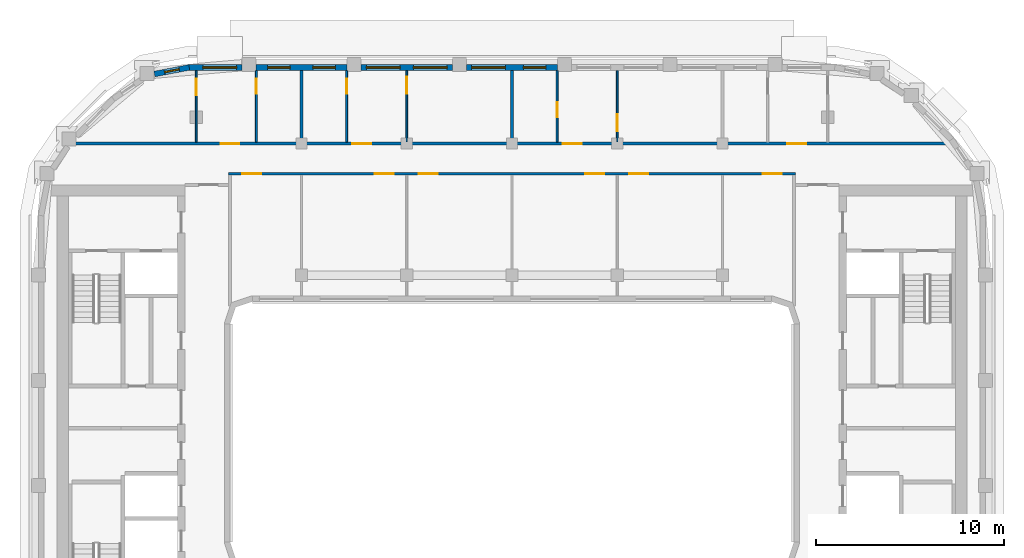
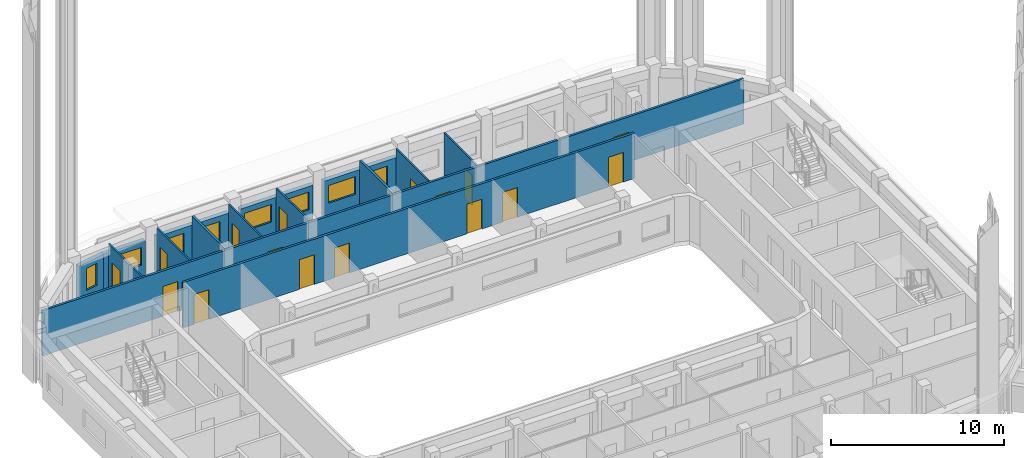
# One storey, part 7 of 15: 16 doors, 15 walls, 8 windows, 24 openings.
"""IFC4 building model written with IfcOpenShell, lengths in metres."""

from ifc_helpers import new_model, si_unit, direction, frame, frame_2d, origin, place, context, subcontext, project, spatial, rectangle, extrude, material, layer, layer_set, type_object, element, fill, save


model = new_model("IFC4")

# Units and contexts
model_context = context("Model", 3, precision=1e-05, world=origin(), true_north=direction((0.0, 1.0)))
body_context = subcontext(model_context, "Body", "Model", "MODEL_VIEW")
ifc_project = project(units=[si_unit("LENGTHUNIT", "METRE"), si_unit("AREAUNIT", "SQUARE_METRE"), si_unit("VOLUMEUNIT", "CUBIC_METRE"), si_unit("PLANEANGLEUNIT", "RADIAN"), si_unit("MASSUNIT", "GRAM", prefix="KILO")], contexts=[model_context])

# Site, building, storey
site_placement = place(None, origin())
site = spatial("IfcSite", under=ifc_project, at=site_placement, CompositionType="ELEMENT")
building_placement = place(site_placement, origin())
building = spatial("IfcBuilding", under=site, at=building_placement, Name="Kiln Ring Residences", CompositionType="ELEMENT")
storey_placement = place(building_placement, frame((0.0, 0.0, 266.199951171875)))
storey = spatial("IfcBuildingStorey", under=building, at=storey_placement, Name="L69", CompositionType="ELEMENT", Elevation=266.199951171875)

# Wall, openings, windows
ifc_material_1 = material(Name="Brick masonry, dark clay brick", Category="masonry")
ifc_layer_1 = layer(ifc_material_1, 0.300048828125)
ifc_layer_set_1 = layer_set([ifc_layer_1], Name="EW-300 BRICK WALL")
wall_type_1 = type_object("IfcWallType", Name="EW-300 BRICK WALL", PredefinedType="SOLIDWALL", material=ifc_layer_set_1)
wall_1_placement = place(storey_placement, frame((2.425048828125, 19.449951171875, 0.0), z_axis=(0.0, 0.0, 1.0), x_axis=(-1.0, 0.0, 0.0)))
wall_1 = element("IfcWall", 1, at=wall_1_placement, inside=storey, type_object=wall_type_1, Name="Facade wall L69 29", PredefinedType="SOLIDWALL", context=body_context, shape_type="SweptSolid", body=[
    extrude(rectangle(XDim=4.85009765625, YDim=0.300048828125, at=frame_2d((2.425048828125, 0.0))), origin(), (0.0, 0.0, 1.0), 2.550048828125),
])
opening_1_placement = place(wall_1_placement, frame((0.625, 0.0, 0.60009765625)))
opening_1 = element("IfcOpeningElement", 2, at=opening_1_placement, cuts=wall_1, Name="Opening W1", PredefinedType="OPENING", context=body_context, shape_type="SweptSolid", body=[
    extrude(rectangle(XDim=1.199951171875, YDim=1.550048828125, at=frame_2d((0.60009765625, 0.77490234375))), frame((0.0, 0.159912109375, 0.0), z_axis=(0.0, -1.0, 0.0), x_axis=(1.0, 0.0, 0.0)), (0.0, 0.0, 1.0), 0.320068359375),
])
opening_2_placement = place(wall_1_placement, frame((2.77490234375, 0.0, 0.89990234375)))
opening_2 = element("IfcOpeningElement", 3, at=opening_2_placement, cuts=wall_1, Name="Opening W2", PredefinedType="OPENING", context=body_context, shape_type="SweptSolid", body=[
    extrude(rectangle(XDim=1.800048828125, YDim=1.25, at=frame_2d((0.89990234375, 0.625))), frame((0.0, 0.159912109375, 0.0), z_axis=(0.0, -1.0, 0.0), x_axis=(1.0, 0.0, 0.0)), (0.0, 0.0, 1.0), 0.320068359375),
])
ifc_material_2 = material(Name="Aluminium frame with double glazing", Category="aluminium")
window_type_1 = type_object("IfcWindowType", Name="WINDOW 1200 x 1550", PartitioningType="SINGLE_PANEL", PredefinedType="WINDOW", material=ifc_material_2)
window_1_placement = place(opening_1_placement, origin())
window_1 = element("IfcWindow", 4, at=window_1_placement, inside=storey, type_object=window_type_1, Name="Window L69 26", OverallHeight=1.550048828125, OverallWidth=1.199951171875, PartitioningType="SINGLE_PANEL", PredefinedType="WINDOW", context=body_context, shape_type="SweptSolid", body=[
    extrude(rectangle(XDim=1.199951171875, YDim=1.550048828125, at=frame_2d((0.60009765625, 0.77490234375))), frame((0.0, 0.030029296875, 0.0), z_axis=(0.0, -1.0, 0.0), x_axis=(1.0, 0.0, 0.0)), (0.0, 0.0, 1.0), 0.06005859375),
])
fill(opening_1, window_1)
ifc_material_3 = material(Name="Aluminium frame with double glazing", Category="aluminium")
window_type_2 = type_object("IfcWindowType", Name="WINDOW 1800 x 1250", PartitioningType="SINGLE_PANEL", PredefinedType="WINDOW", material=ifc_material_3)
window_2_placement = place(opening_2_placement, origin())
window_2 = element("IfcWindow", 5, at=window_2_placement, inside=storey, type_object=window_type_2, Name="Window L69 27", OverallHeight=1.25, OverallWidth=1.800048828125, PartitioningType="SINGLE_PANEL", PredefinedType="WINDOW", context=body_context, shape_type="SweptSolid", body=[
    extrude(rectangle(XDim=1.800048828125, YDim=1.25, at=frame_2d((0.89990234375, 0.625))), frame((0.0, 0.030029296875, 0.0), z_axis=(0.0, -1.0, 0.0), x_axis=(1.0, 0.0, 0.0)), (0.0, 0.0, 1.0), 0.06005859375),
])
fill(opening_2, window_2)

wall_2_placement = place(storey_placement, frame((-3.175048828125, 19.449951171875, 0.0), z_axis=(0.0, 0.0, 1.0), x_axis=(-1.0, 0.0, 0.0)))
wall_2 = element("IfcWall", 6, at=wall_2_placement, inside=storey, type_object=wall_type_1, Name="Facade wall L69 30", PredefinedType="SOLIDWALL", context=body_context, shape_type="SweptSolid", body=[
    extrude(rectangle(XDim=4.849853515625, YDim=0.300048828125, at=frame_2d((2.4248046875, 0.0))), origin(), (0.0, 0.0, 1.0), 2.550048828125),
])
opening_3_placement = place(wall_2_placement, frame((0.27490234375, 0.0, 0.89990234375)))
opening_3 = element("IfcOpeningElement", 7, at=opening_3_placement, cuts=wall_2, Name="Opening W2", PredefinedType="OPENING", context=body_context, shape_type="SweptSolid", body=[
    extrude(rectangle(XDim=1.800048828125, YDim=1.25, at=frame_2d((0.89990234375, 0.625))), frame((0.0, 0.159912109375, 0.0), z_axis=(0.0, -1.0, 0.0), x_axis=(1.0, 0.0, 0.0)), (0.0, 0.0, 1.0), 0.320068359375),
])
opening_4_placement = place(wall_2_placement, frame((2.77490234375, 0.0, 0.89990234375)))
opening_4 = element("IfcOpeningElement", 8, at=opening_4_placement, cuts=wall_2, Name="Opening W2", PredefinedType="OPENING", context=body_context, shape_type="SweptSolid", body=[
    extrude(rectangle(XDim=1.800048828125, YDim=1.25, at=frame_2d((0.89990234375, 0.625))), frame((0.0, 0.159912109375, 0.0), z_axis=(0.0, -1.0, 0.0), x_axis=(1.0, 0.0, 0.0)), (0.0, 0.0, 1.0), 0.320068359375),
])
window_3_placement = place(opening_3_placement, origin())
window_3 = element("IfcWindow", 9, at=window_3_placement, inside=storey, type_object=window_type_2, Name="Window L69 28", OverallHeight=1.25, OverallWidth=1.800048828125, PartitioningType="SINGLE_PANEL", PredefinedType="WINDOW", context=body_context, shape_type="SweptSolid", body=[
    extrude(rectangle(XDim=1.800048828125, YDim=1.25, at=frame_2d((0.89990234375, 0.625))), frame((0.0, 0.030029296875, 0.0), z_axis=(0.0, -1.0, 0.0), x_axis=(1.0, 0.0, 0.0)), (0.0, 0.0, 1.0), 0.06005859375),
])
fill(opening_3, window_3)
window_4_placement = place(opening_4_placement, origin())
window_4 = element("IfcWindow", 10, at=window_4_placement, inside=storey, type_object=window_type_2, Name="Window L69 29", OverallHeight=1.25, OverallWidth=1.800048828125, PartitioningType="SINGLE_PANEL", PredefinedType="WINDOW", context=body_context, shape_type="SweptSolid", body=[
    extrude(rectangle(XDim=1.800048828125, YDim=1.25, at=frame_2d((0.89990234375, 0.625))), frame((0.0, 0.030029296875, 0.0), z_axis=(0.0, -1.0, 0.0), x_axis=(1.0, 0.0, 0.0)), (0.0, 0.0, 1.0), 0.06005859375),
])
fill(opening_4, window_4)

wall_3_placement = place(storey_placement, frame((-8.77490234375, 19.449951171875, 0.0), z_axis=(0.0, 0.0, 1.0), x_axis=(-1.0, 0.0, 0.0)))
wall_3 = element("IfcWall", 11, at=wall_3_placement, inside=storey, type_object=wall_type_1, Name="Facade wall L69 31", PredefinedType="SOLIDWALL", context=body_context, shape_type="SweptSolid", body=[
    extrude(rectangle(XDim=4.85009765625, YDim=0.300048828125, at=frame_2d((2.425048828125, 0.0))), origin(), (0.0, 0.0, 1.0), 2.550048828125),
])
opening_5_placement = place(wall_3_placement, frame((0.625, 0.0, 0.60009765625)))
opening_5 = element("IfcOpeningElement", 12, at=opening_5_placement, cuts=wall_3, Name="Opening W1", PredefinedType="OPENING", context=body_context, shape_type="SweptSolid", body=[
    extrude(rectangle(XDim=1.199951171875, YDim=1.550048828125, at=frame_2d((0.60009765625, 0.77490234375))), frame((0.0, 0.159912109375, 0.0), z_axis=(0.0, -1.0, 0.0), x_axis=(1.0, 0.0, 0.0)), (0.0, 0.0, 1.0), 0.320068359375),
])
opening_6_placement = place(wall_3_placement, frame((3.02490234375, 0.0, 0.60009765625)))
opening_6 = element("IfcOpeningElement", 13, at=opening_6_placement, cuts=wall_3, Name="Opening W1", PredefinedType="OPENING", context=body_context, shape_type="SweptSolid", body=[
    extrude(rectangle(XDim=1.199951171875, YDim=1.550048828125, at=frame_2d((0.60009765625, 0.77490234375))), frame((0.0, 0.159912109375, 0.0), z_axis=(0.0, -1.0, 0.0), x_axis=(1.0, 0.0, 0.0)), (0.0, 0.0, 1.0), 0.320068359375),
])
window_5_placement = place(opening_5_placement, origin())
window_5 = element("IfcWindow", 14, at=window_5_placement, inside=storey, type_object=window_type_1, Name="Window L69 30", OverallHeight=1.550048828125, OverallWidth=1.199951171875, PartitioningType="SINGLE_PANEL", PredefinedType="WINDOW", context=body_context, shape_type="SweptSolid", body=[
    extrude(rectangle(XDim=1.199951171875, YDim=1.550048828125, at=frame_2d((0.60009765625, 0.77490234375))), frame((0.0, 0.030029296875, 0.0), z_axis=(0.0, -1.0, 0.0), x_axis=(1.0, 0.0, 0.0)), (0.0, 0.0, 1.0), 0.06005859375),
])
fill(opening_5, window_5)
window_6_placement = place(opening_6_placement, origin())
window_6 = element("IfcWindow", 15, at=window_6_placement, inside=storey, type_object=window_type_1, Name="Window L69 31", OverallHeight=1.550048828125, OverallWidth=1.199951171875, PartitioningType="SINGLE_PANEL", PredefinedType="WINDOW", context=body_context, shape_type="SweptSolid", body=[
    extrude(rectangle(XDim=1.199951171875, YDim=1.550048828125, at=frame_2d((0.60009765625, 0.77490234375))), frame((0.0, 0.030029296875, 0.0), z_axis=(0.0, -1.0, 0.0), x_axis=(1.0, 0.0, 0.0)), (0.0, 0.0, 1.0), 0.06005859375),
])
fill(opening_6, window_6)

# Wall, opening, window
wall_4_placement = place(storey_placement, frame((-14.375, 19.449951171875, 0.0), z_axis=(0.0, 0.0, 1.0), x_axis=(-1.0, 0.0, 0.0)))
wall_4 = element("IfcWall", 16, at=wall_4_placement, inside=storey, type_object=wall_type_1, Name="Facade wall L69 32", PredefinedType="SOLIDWALL", context=body_context, shape_type="SweptSolid", body=[
    extrude(rectangle(XDim=2.824951171875, YDim=0.300048828125, at=frame_2d((1.41259765625, 0.0))), origin(), (0.0, 0.0, 1.0), 2.550048828125),
])
opening_7_placement = place(wall_4_placement, frame((0.27490234375, 0.0, 0.89990234375)))
opening_7 = element("IfcOpeningElement", 17, at=opening_7_placement, cuts=wall_4, Name="Opening W2", PredefinedType="OPENING", context=body_context, shape_type="SweptSolid", body=[
    extrude(rectangle(XDim=1.800048828125, YDim=1.25, at=frame_2d((0.89990234375, 0.625))), frame((0.0, 0.159912109375, 0.0), z_axis=(0.0, -1.0, 0.0), x_axis=(1.0, 0.0, 0.0)), (0.0, 0.0, 1.0), 0.320068359375),
])
window_7_placement = place(opening_7_placement, origin())
window_7 = element("IfcWindow", 18, at=window_7_placement, inside=storey, type_object=window_type_2, Name="Window L69 32", OverallHeight=1.25, OverallWidth=1.800048828125, PartitioningType="SINGLE_PANEL", PredefinedType="WINDOW", context=body_context, shape_type="SweptSolid", body=[
    extrude(rectangle(XDim=1.800048828125, YDim=1.25, at=frame_2d((0.89990234375, 0.625))), frame((0.0, 0.030029296875, 0.0), z_axis=(0.0, -1.0, 0.0), x_axis=(1.0, 0.0, 0.0)), (0.0, 0.0, 1.0), 0.06005859375),
])
fill(opening_7, window_7)

wall_5_placement = place(storey_placement, frame((-17.171875, 19.45263671875, 0.0), z_axis=(0.0, 0.0, 1.0), x_axis=(-0.982284001233, -0.187398348234, 0.0)))
wall_5 = element("IfcWall", 19, at=wall_5_placement, inside=storey, type_object=wall_type_1, Name="Facade wall L69 33", PredefinedType="SOLIDWALL", context=body_context, shape_type="SweptSolid", body=[
    extrude(rectangle(XDim=1.88134765625, YDim=0.300048828125, at=frame_2d((0.940673828125, 0.0))), origin(), (0.0, 0.0, 1.0), 2.550048828125),
])
opening_8_placement = place(wall_5_placement, frame((0.54052734375, 0.0, 0.60009765625)))
opening_8 = element("IfcOpeningElement", 20, at=opening_8_placement, cuts=wall_5, Name="Opening W5", PredefinedType="OPENING", context=body_context, shape_type="SweptSolid", body=[
    extrude(rectangle(XDim=0.800048828125, YDim=1.550048828125, at=frame_2d((0.39990234375, 0.77490234375))), frame((0.0, 0.159912109375, 0.0), z_axis=(0.0, -1.0, 0.0), x_axis=(1.0, 0.0, 0.0)), (0.0, 0.0, 1.0), 0.320068359375),
])
ifc_material_4 = material(Name="Aluminium frame with double glazing", Category="aluminium")
window_type_3 = type_object("IfcWindowType", Name="WINDOW 800 x 1550", PartitioningType="SINGLE_PANEL", PredefinedType="WINDOW", material=ifc_material_4)
window_8_placement = place(opening_8_placement, origin())
window_8 = element("IfcWindow", 21, at=window_8_placement, inside=storey, type_object=window_type_3, Name="Window L69 33", OverallHeight=1.550048828125, OverallWidth=0.800048828125, PartitioningType="SINGLE_PANEL", PredefinedType="WINDOW", context=body_context, shape_type="SweptSolid", body=[
    extrude(rectangle(XDim=0.800048828125, YDim=1.550048828125, at=frame_2d((0.39990234375, 0.77490234375))), frame((0.0, 0.030029296875, 0.0), z_axis=(0.0, -1.0, 0.0), x_axis=(1.0, 0.0, 0.0)), (0.0, 0.0, 1.0), 0.06005859375),
])
fill(opening_8, window_8)

# Wall, opening, door
ifc_material_5 = material(Name="Gypsum board on steel studs", Category="steel")
ifc_layer_2 = layer(ifc_material_5, 0.10009765625)
ifc_layer_set_2 = layer_set([ifc_layer_2], Name="PARTITION-100")
wall_type_2 = type_object("IfcWallType", Name="PARTITION-100", PredefinedType="PARTITIONING", material=ifc_layer_set_2)
wall_6_placement = place(storey_placement, frame((-16.800048828125, 15.47509765625, 0.0), z_axis=(0.0, 0.0, 1.0), x_axis=(0.0, 1.0, 0.0)))
wall_6 = element("IfcWall", 22, at=wall_6_placement, inside=storey, type_object=wall_type_2, Name="Partition 010", PredefinedType="PARTITIONING", context=body_context, shape_type="SweptSolid", body=[
    extrude(rectangle(XDim=3.804931640625, YDim=0.10009765625, at=frame_2d((1.90234375, 0.0))), origin(), (0.0, 0.0, 1.0), 3.199951171875),
])
opening_9_placement = place(wall_6_placement, frame((2.485107421875, 0.0, 0.0)))
opening_9 = element("IfcOpeningElement", 23, at=opening_9_placement, cuts=wall_6, Name="Opening L69-D013", PredefinedType="OPENING", context=body_context, shape_type="SweptSolid", body=[
    extrude(rectangle(XDim=0.89990234375, YDim=2.10009765625, at=frame_2d((0.449951171875, 1.050048828125))), frame((0.0, 0.06005859375, 0.0), z_axis=(0.0, -1.0, 0.0), x_axis=(1.0, 0.0, 0.0)), (0.0, 0.0, 1.0), 0.1201171875),
])
ifc_material_6 = material(Name="Timber door leaf", Category="wood")
door_type_1 = type_object("IfcDoorType", Name="FLAT-DOOR-900-PL", OperationType="SINGLE_SWING_LEFT", PredefinedType="DOOR", material=ifc_material_6)
door_1_placement = place(opening_9_placement, origin())
door_1 = element("IfcDoor", 24, at=door_1_placement, inside=storey, type_object=door_type_1, Name="Door L69-D013", OperationType="SINGLE_SWING_LEFT", OverallHeight=2.10009765625, OverallWidth=0.89990234375, PredefinedType="DOOR", context=body_context, shape_type="SweptSolid", body=[
    extrude(rectangle(XDim=0.89990234375, YDim=2.10009765625, at=frame_2d((0.449951171875, 1.050048828125))), frame((0.0, 0.02490234375, 0.0), z_axis=(0.0, -1.0, 0.0), x_axis=(1.0, 0.0, 0.0)), (0.0, 0.0, 1.0), 0.050048828125),
])
fill(opening_9, door_1)

wall_7_placement = place(storey_placement, frame((-13.60009765625, 15.47509765625, 0.0), z_axis=(0.0, 0.0, 1.0), x_axis=(0.0, 1.0, 0.0)))
wall_7 = element("IfcWall", 25, at=wall_7_placement, inside=storey, type_object=wall_type_2, Name="Partition 013", PredefinedType="PARTITIONING", context=body_context, shape_type="SweptSolid", body=[
    extrude(rectangle(XDim=3.804931640625, YDim=0.10009765625, at=frame_2d((1.90234375, 0.0))), origin(), (0.0, 0.0, 1.0), 3.199951171875),
])
opening_10_placement = place(wall_7_placement, frame((2.575927734375, 0.0, 0.0)))
opening_10 = element("IfcOpeningElement", 26, at=opening_10_placement, cuts=wall_7, Name="Opening L69-D012", PredefinedType="OPENING", context=body_context, shape_type="SweptSolid", body=[
    extrude(rectangle(XDim=0.800048828125, YDim=2.10009765625, at=frame_2d((0.39990234375, 1.050048828125))), frame((0.0, 0.06005859375, 0.0), z_axis=(0.0, -1.0, 0.0), x_axis=(1.0, 0.0, 0.0)), (0.0, 0.0, 1.0), 0.1201171875),
])
ifc_material_7 = material(Name="Timber door leaf", Category="wood")
door_type_2 = type_object("IfcDoorType", Name="FLAT-DOOR-800-PL", OperationType="SINGLE_SWING_LEFT", PredefinedType="DOOR", material=ifc_material_7)
door_2_placement = place(opening_10_placement, origin())
door_2 = element("IfcDoor", 27, at=door_2_placement, inside=storey, type_object=door_type_2, Name="Door L69-D012", OperationType="SINGLE_SWING_RIGHT", OverallHeight=2.10009765625, OverallWidth=0.800048828125, PredefinedType="DOOR", context=body_context, shape_type="SweptSolid", body=[
    extrude(rectangle(XDim=0.800048828125, YDim=2.10009765625, at=frame_2d((0.39990234375, 1.050048828125))), frame((0.0, 0.02490234375, 0.0), z_axis=(0.0, -1.0, 0.0), x_axis=(1.0, 0.0, 0.0)), (0.0, 0.0, 1.0), 0.050048828125),
])
fill(opening_10, door_2)

wall_8_placement = place(storey_placement, frame((-8.800048828125, 15.47509765625, 0.0), z_axis=(0.0, 0.0, 1.0), x_axis=(0.0, 1.0, 0.0)))
wall_8 = element("IfcWall", 28, at=wall_8_placement, inside=storey, type_object=wall_type_2, Name="Partition 019", PredefinedType="PARTITIONING", context=body_context, shape_type="SweptSolid", body=[
    extrude(rectangle(XDim=3.804931640625, YDim=0.10009765625, at=frame_2d((1.90234375, 0.0))), origin(), (0.0, 0.0, 1.0), 3.199951171875),
])
opening_11_placement = place(wall_8_placement, frame((2.5849609375, 0.0, 0.0)))
opening_11 = element("IfcOpeningElement", 29, at=opening_11_placement, cuts=wall_8, Name="Opening L69-D015", PredefinedType="OPENING", context=body_context, shape_type="SweptSolid", body=[
    extrude(rectangle(XDim=0.800048828125, YDim=2.10009765625, at=frame_2d((0.39990234375, 1.050048828125))), frame((0.0, 0.06005859375, 0.0), z_axis=(0.0, -1.0, 0.0), x_axis=(1.0, 0.0, 0.0)), (0.0, 0.0, 1.0), 0.1201171875),
])
door_3_placement = place(opening_11_placement, origin())
door_3 = element("IfcDoor", 30, at=door_3_placement, inside=storey, type_object=door_type_2, Name="Door L69-D015", OperationType="SINGLE_SWING_LEFT", OverallHeight=2.10009765625, OverallWidth=0.800048828125, PredefinedType="DOOR", context=body_context, shape_type="SweptSolid", body=[
    extrude(rectangle(XDim=0.800048828125, YDim=2.10009765625, at=frame_2d((0.39990234375, 1.050048828125))), frame((0.0, 0.02490234375, 0.0), z_axis=(0.0, -1.0, 0.0), x_axis=(1.0, 0.0, 0.0)), (0.0, 0.0, 1.0), 0.050048828125),
])
fill(opening_11, door_3)

wall_9_placement = place(storey_placement, frame((-5.60009765625, 15.47509765625, 0.0), z_axis=(0.0, 0.0, 1.0), x_axis=(0.0, 1.0, 0.0)))
wall_9 = element("IfcWall", 31, at=wall_9_placement, inside=storey, type_object=wall_type_2, Name="Partition 022", PredefinedType="PARTITIONING", context=body_context, shape_type="SweptSolid", body=[
    extrude(rectangle(XDim=3.804931640625, YDim=0.10009765625, at=frame_2d((1.90234375, 0.0))), origin(), (0.0, 0.0, 1.0), 3.199951171875),
])
opening_12_placement = place(wall_9_placement, frame((2.575927734375, 0.0, 0.0)))
opening_12 = element("IfcOpeningElement", 32, at=opening_12_placement, cuts=wall_9, Name="Opening L69-D016", PredefinedType="OPENING", context=body_context, shape_type="SweptSolid", body=[
    extrude(rectangle(XDim=0.89990234375, YDim=2.10009765625, at=frame_2d((0.449951171875, 1.050048828125))), frame((0.0, 0.06005859375, 0.0), z_axis=(0.0, -1.0, 0.0), x_axis=(1.0, 0.0, 0.0)), (0.0, 0.0, 1.0), 0.1201171875),
])
door_4_placement = place(opening_12_placement, origin())
door_4 = element("IfcDoor", 33, at=door_4_placement, inside=storey, type_object=door_type_1, Name="Door L69-D016", OperationType="SINGLE_SWING_RIGHT", OverallHeight=2.10009765625, OverallWidth=0.89990234375, PredefinedType="DOOR", context=body_context, shape_type="SweptSolid", body=[
    extrude(rectangle(XDim=0.89990234375, YDim=2.10009765625, at=frame_2d((0.449951171875, 1.050048828125))), frame((0.0, 0.02490234375, 0.0), z_axis=(0.0, -1.0, 0.0), x_axis=(1.0, 0.0, 0.0)), (0.0, 0.0, 1.0), 0.050048828125),
])
fill(opening_12, door_4)

wall_10_placement = place(storey_placement, frame((2.39990234375, 15.47509765625, 0.0), z_axis=(0.0, 0.0, 1.0), x_axis=(0.0, 1.0, 0.0)))
wall_10 = element("IfcWall", 34, at=wall_10_placement, inside=storey, type_object=wall_type_2, Name="Partition 032", PredefinedType="PARTITIONING", context=body_context, shape_type="SweptSolid", body=[
    extrude(rectangle(XDim=3.804931640625, YDim=0.10009765625, at=frame_2d((1.90234375, 0.0))), origin(), (0.0, 0.0, 1.0), 3.199951171875),
])
opening_13_placement = place(wall_10_placement, frame((1.3349609375, 0.0, 0.0)))
opening_13 = element("IfcOpeningElement", 35, at=opening_13_placement, cuts=wall_10, Name="Opening L69-D018", PredefinedType="OPENING", context=body_context, shape_type="SweptSolid", body=[
    extrude(rectangle(XDim=0.800048828125, YDim=2.10009765625, at=frame_2d((0.39990234375, 1.050048828125))), frame((0.0, 0.06005859375, 0.0), z_axis=(0.0, -1.0, 0.0), x_axis=(1.0, 0.0, 0.0)), (0.0, 0.0, 1.0), 0.1201171875),
])
door_5_placement = place(opening_13_placement, origin())
door_5 = element("IfcDoor", 36, at=door_5_placement, inside=storey, type_object=door_type_2, Name="Door L69-D018", OperationType="SINGLE_SWING_RIGHT", OverallHeight=2.10009765625, OverallWidth=0.800048828125, PredefinedType="DOOR", context=body_context, shape_type="SweptSolid", body=[
    extrude(rectangle(XDim=0.800048828125, YDim=2.10009765625, at=frame_2d((0.39990234375, 1.050048828125))), frame((0.0, 0.02490234375, 0.0), z_axis=(0.0, -1.0, 0.0), x_axis=(1.0, 0.0, 0.0)), (0.0, 0.0, 1.0), 0.050048828125),
])
fill(opening_13, door_5)

wall_11_placement = place(storey_placement, frame((5.60009765625, 15.47509765625, 0.0), z_axis=(0.0, 0.0, 1.0), x_axis=(0.0, 1.0, 0.0)))
wall_11 = element("IfcWall", 37, at=wall_11_placement, inside=storey, type_object=wall_type_2, Name="Partition 038", PredefinedType="PARTITIONING", context=body_context, shape_type="SweptSolid", body=[
    extrude(rectangle(XDim=3.804931640625, YDim=0.10009765625, at=frame_2d((1.90234375, 0.0))), origin(), (0.0, 0.0, 1.0), 3.199951171875),
])
opening_14_placement = place(wall_11_placement, frame((0.575927734375, 0.0, 0.0)))
opening_14 = element("IfcOpeningElement", 38, at=opening_14_placement, cuts=wall_11, Name="Opening L69-D019", PredefinedType="OPENING", context=body_context, shape_type="SweptSolid", body=[
    extrude(rectangle(XDim=0.89990234375, YDim=2.10009765625, at=frame_2d((0.449951171875, 1.050048828125))), frame((0.0, 0.06005859375, 0.0), z_axis=(0.0, -1.0, 0.0), x_axis=(1.0, 0.0, 0.0)), (0.0, 0.0, 1.0), 0.1201171875),
])
door_6_placement = place(opening_14_placement, origin())
door_6 = element("IfcDoor", 39, at=door_6_placement, inside=storey, type_object=door_type_1, Name="Door L69-D019", OperationType="SINGLE_SWING_LEFT", OverallHeight=2.10009765625, OverallWidth=0.89990234375, PredefinedType="DOOR", context=body_context, shape_type="SweptSolid", body=[
    extrude(rectangle(XDim=0.89990234375, YDim=2.10009765625, at=frame_2d((0.449951171875, 1.050048828125))), frame((0.0, 0.02490234375, 0.0), z_axis=(0.0, -1.0, 0.0), x_axis=(1.0, 0.0, 0.0)), (0.0, 0.0, 1.0), 0.050048828125),
])
fill(opening_14, door_6)

# Wall, openings, doors
ifc_material_8 = material(Name="Brick masonry partition", Category="masonry")
ifc_layer_3 = layer(ifc_material_8, 0.14990234375)
ifc_layer_set_3 = layer_set([ifc_layer_3], Name="PARTITION-150-ei60")
wall_type_3 = type_object("IfcWallType", Name="PARTITION-150-ei60", PredefinedType="PARTITIONING", material=ifc_layer_set_3)
wall_12_placement = place(storey_placement, frame((-15.074951171875, 13.800048828125, 0.0), z_axis=(0.0, 0.0, 1.0), x_axis=(1.0, 0.0, 0.0)))
wall_12 = element("IfcWall", 40, at=wall_12_placement, inside=storey, type_object=wall_type_3, Name="Partition 007", PredefinedType="PARTITIONING", context=body_context, shape_type="SweptSolid", body=[
    extrude(rectangle(XDim=30.14990234375, YDim=0.14990234375, at=frame_2d((15.074951171875, 0.0))), origin(), (0.0, 0.0, 1.0), 3.199951171875),
])
opening_15_placement = place(wall_12_placement, frame((0.72607421875, 0.0, 0.0)))
opening_15 = element("IfcOpeningElement", 41, at=opening_15_placement, cuts=wall_12, Name="Opening L69-D005", PredefinedType="OPENING", context=body_context, shape_type="SweptSolid", body=[
    extrude(rectangle(XDim=1.0, YDim=2.10009765625, at=frame_2d((0.5, 1.050048828125))), frame((0.0, 0.0849609375, 0.0), z_axis=(0.0, -1.0, 0.0), x_axis=(1.0, 0.0, 0.0)), (0.0, 0.0, 1.0), 0.169921875),
])
opening_16_placement = place(wall_12_placement, frame((7.77490234375, 0.0, 0.0)))
opening_16 = element("IfcOpeningElement", 42, at=opening_16_placement, cuts=wall_12, Name="Opening L69-D006", PredefinedType="OPENING", context=body_context, shape_type="SweptSolid", body=[
    extrude(rectangle(XDim=1.0, YDim=2.10009765625, at=frame_2d((0.5, 1.050048828125))), frame((0.0, 0.0849609375, 0.0), z_axis=(0.0, -1.0, 0.0), x_axis=(1.0, 0.0, 0.0)), (0.0, 0.0, 1.0), 0.169921875),
])
opening_17_placement = place(wall_12_placement, frame((10.125, 0.0, 0.0)))
opening_17 = element("IfcOpeningElement", 43, at=opening_17_placement, cuts=wall_12, Name="Opening L69-D007", PredefinedType="OPENING", context=body_context, shape_type="SweptSolid", body=[
    extrude(rectangle(XDim=1.0, YDim=2.10009765625, at=frame_2d((0.5, 1.050048828125))), frame((0.0, 0.0849609375, 0.0), z_axis=(0.0, -1.0, 0.0), x_axis=(1.0, 0.0, 0.0)), (0.0, 0.0, 1.0), 0.169921875),
])
opening_18_placement = place(wall_12_placement, frame((18.97509765625, 0.0, 0.0)))
opening_18 = element("IfcOpeningElement", 44, at=opening_18_placement, cuts=wall_12, Name="Opening L69-D008", PredefinedType="OPENING", context=body_context, shape_type="SweptSolid", body=[
    extrude(rectangle(XDim=1.0, YDim=2.10009765625, at=frame_2d((0.5, 1.050048828125))), frame((0.0, 0.0849609375, 0.0), z_axis=(0.0, -1.0, 0.0), x_axis=(1.0, 0.0, 0.0)), (0.0, 0.0, 1.0), 0.169921875),
])
opening_19_placement = place(wall_12_placement, frame((21.324951171875, 0.0, 0.0)))
opening_19 = element("IfcOpeningElement", 45, at=opening_19_placement, cuts=wall_12, Name="Opening L69-D009", PredefinedType="OPENING", context=body_context, shape_type="SweptSolid", body=[
    extrude(rectangle(XDim=1.0, YDim=2.10009765625, at=frame_2d((0.5, 1.050048828125))), frame((0.0, 0.0849609375, 0.0), z_axis=(0.0, -1.0, 0.0), x_axis=(1.0, 0.0, 0.0)), (0.0, 0.0, 1.0), 0.169921875),
])
opening_20_placement = place(wall_12_placement, frame((28.425048828125, 0.0, 0.0)))
opening_20 = element("IfcOpeningElement", 46, at=opening_20_placement, cuts=wall_12, Name="Opening L69-D010", PredefinedType="OPENING", context=body_context, shape_type="SweptSolid", body=[
    extrude(rectangle(XDim=1.0, YDim=2.10009765625, at=frame_2d((0.5, 1.050048828125))), frame((0.0, 0.0849609375, 0.0), z_axis=(0.0, -1.0, 0.0), x_axis=(1.0, 0.0, 0.0)), (0.0, 0.0, 1.0), 0.169921875),
])
ifc_material_9 = material(Name="Steel faced fire door leaf", Category="steel")
door_type_3 = type_object("IfcDoorType", Name="FLAT-DOOR-1000-FR", OperationType="SINGLE_SWING_LEFT", PredefinedType="DOOR", material=ifc_material_9)
door_7_placement = place(opening_15_placement, origin())
door_7 = element("IfcDoor", 47, at=door_7_placement, inside=storey, type_object=door_type_3, Name="Door L69-D005", OperationType="SINGLE_SWING_LEFT", OverallHeight=2.10009765625, OverallWidth=1.0, PredefinedType="DOOR", context=body_context, shape_type="SweptSolid", body=[
    extrude(rectangle(XDim=1.0, YDim=2.10009765625, at=frame_2d((0.5, 1.050048828125))), frame((0.0, 0.02490234375, 0.0), z_axis=(0.0, -1.0, 0.0), x_axis=(1.0, 0.0, 0.0)), (0.0, 0.0, 1.0), 0.050048828125),
])
fill(opening_15, door_7)
door_8_placement = place(opening_16_placement, origin())
door_8 = element("IfcDoor", 48, at=door_8_placement, inside=storey, type_object=door_type_3, Name="Door L69-D006", OperationType="SINGLE_SWING_RIGHT", OverallHeight=2.10009765625, OverallWidth=1.0, PredefinedType="DOOR", context=body_context, shape_type="SweptSolid", body=[
    extrude(rectangle(XDim=1.0, YDim=2.10009765625, at=frame_2d((0.5, 1.050048828125))), frame((0.0, 0.02490234375, 0.0), z_axis=(0.0, -1.0, 0.0), x_axis=(1.0, 0.0, 0.0)), (0.0, 0.0, 1.0), 0.050048828125),
])
fill(opening_16, door_8)
door_9_placement = place(opening_17_placement, origin())
door_9 = element("IfcDoor", 49, at=door_9_placement, inside=storey, type_object=door_type_3, Name="Door L69-D007", OperationType="SINGLE_SWING_LEFT", OverallHeight=2.10009765625, OverallWidth=1.0, PredefinedType="DOOR", context=body_context, shape_type="SweptSolid", body=[
    extrude(rectangle(XDim=1.0, YDim=2.10009765625, at=frame_2d((0.5, 1.050048828125))), frame((0.0, 0.02490234375, 0.0), z_axis=(0.0, -1.0, 0.0), x_axis=(1.0, 0.0, 0.0)), (0.0, 0.0, 1.0), 0.050048828125),
])
fill(opening_17, door_9)
door_10_placement = place(opening_18_placement, origin())
door_10 = element("IfcDoor", 50, at=door_10_placement, inside=storey, type_object=door_type_3, Name="Door L69-D008", OperationType="SINGLE_SWING_RIGHT", OverallHeight=2.10009765625, OverallWidth=1.0, PredefinedType="DOOR", context=body_context, shape_type="SweptSolid", body=[
    extrude(rectangle(XDim=1.0, YDim=2.10009765625, at=frame_2d((0.5, 1.050048828125))), frame((0.0, 0.02490234375, 0.0), z_axis=(0.0, -1.0, 0.0), x_axis=(1.0, 0.0, 0.0)), (0.0, 0.0, 1.0), 0.050048828125),
])
fill(opening_18, door_10)
door_11_placement = place(opening_19_placement, origin())
door_11 = element("IfcDoor", 51, at=door_11_placement, inside=storey, type_object=door_type_3, Name="Door L69-D009", OperationType="SINGLE_SWING_LEFT", OverallHeight=2.10009765625, OverallWidth=1.0, PredefinedType="DOOR", context=body_context, shape_type="SweptSolid", body=[
    extrude(rectangle(XDim=1.0, YDim=2.10009765625, at=frame_2d((0.5, 1.050048828125))), frame((0.0, 0.02490234375, 0.0), z_axis=(0.0, -1.0, 0.0), x_axis=(1.0, 0.0, 0.0)), (0.0, 0.0, 1.0), 0.050048828125),
])
fill(opening_19, door_11)
door_12_placement = place(opening_20_placement, origin())
door_12 = element("IfcDoor", 52, at=door_12_placement, inside=storey, type_object=door_type_3, Name="Door L69-D010", OperationType="SINGLE_SWING_RIGHT", OverallHeight=2.10009765625, OverallWidth=1.0, PredefinedType="DOOR", context=body_context, shape_type="SweptSolid", body=[
    extrude(rectangle(XDim=1.0, YDim=2.10009765625, at=frame_2d((0.5, 1.050048828125))), frame((0.0, 0.02490234375, 0.0), z_axis=(0.0, -1.0, 0.0), x_axis=(1.0, 0.0, 0.0)), (0.0, 0.0, 1.0), 0.050048828125),
])
fill(opening_20, door_12)

wall_13_placement = place(storey_placement, frame((-23.550048828125, 15.39990234375, 0.0), z_axis=(0.0, 0.0, 1.0), x_axis=(1.0, 0.0, 0.0)))
wall_13 = element("IfcWall", 53, at=wall_13_placement, inside=storey, type_object=wall_type_3, Name="Partition 008", PredefinedType="PARTITIONING", context=body_context, shape_type="SweptSolid", body=[
    extrude(rectangle(XDim=46.8720703125, YDim=0.14990234375, at=frame_2d((23.43603515625, 0.0))), origin(), (0.0, 0.0, 1.0), 3.199951171875),
])
opening_21_placement = place(wall_13_placement, frame((8.050048828125, 0.0, 0.0)))
opening_21 = element("IfcOpeningElement", 54, at=opening_21_placement, cuts=wall_13, Name="Opening L69-D011", PredefinedType="OPENING", context=body_context, shape_type="SweptSolid", body=[
    extrude(rectangle(XDim=1.0, YDim=2.10009765625, at=frame_2d((0.5, 1.050048828125))), frame((0.0, 0.0849609375, 0.0), z_axis=(0.0, -1.0, 0.0), x_axis=(1.0, 0.0, 0.0)), (0.0, 0.0, 1.0), 0.169921875),
])
opening_22_placement = place(wall_13_placement, frame((15.050048828125, 0.0, 0.0)))
opening_22 = element("IfcOpeningElement", 55, at=opening_22_placement, cuts=wall_13, Name="Opening L69-D014", PredefinedType="OPENING", context=body_context, shape_type="SweptSolid", body=[
    extrude(rectangle(XDim=1.0, YDim=2.10009765625, at=frame_2d((0.5, 1.050048828125))), frame((0.0, 0.0849609375, 0.0), z_axis=(0.0, -1.0, 0.0), x_axis=(1.0, 0.0, 0.0)), (0.0, 0.0, 1.0), 0.169921875),
])
opening_23_placement = place(wall_13_placement, frame((26.25, 0.0, 0.0)))
opening_23 = element("IfcOpeningElement", 56, at=opening_23_placement, cuts=wall_13, Name="Opening L69-D017", PredefinedType="OPENING", context=body_context, shape_type="SweptSolid", body=[
    extrude(rectangle(XDim=1.0, YDim=2.10009765625, at=frame_2d((0.5, 1.050048828125))), frame((0.0, 0.0849609375, 0.0), z_axis=(0.0, -1.0, 0.0), x_axis=(1.0, 0.0, 0.0)), (0.0, 0.0, 1.0), 0.169921875),
])
opening_24_placement = place(wall_13_placement, frame((38.199951171875, 0.0, 0.0)))
opening_24 = element("IfcOpeningElement", 57, at=opening_24_placement, cuts=wall_13, Name="Opening L69-D020", PredefinedType="OPENING", context=body_context, shape_type="SweptSolid", body=[
    extrude(rectangle(XDim=1.0, YDim=2.10009765625, at=frame_2d((0.5, 1.050048828125))), frame((0.0, 0.0849609375, 0.0), z_axis=(0.0, -1.0, 0.0), x_axis=(1.0, 0.0, 0.0)), (0.0, 0.0, 1.0), 0.169921875),
])
door_13_placement = place(opening_21_placement, origin())
door_13 = element("IfcDoor", 58, at=door_13_placement, inside=storey, type_object=door_type_3, Name="Door L69-D011", OperationType="SINGLE_SWING_LEFT", OverallHeight=2.10009765625, OverallWidth=1.0, PredefinedType="DOOR", context=body_context, shape_type="SweptSolid", body=[
    extrude(rectangle(XDim=1.0, YDim=2.10009765625, at=frame_2d((0.5, 1.050048828125))), frame((0.0, 0.02490234375, 0.0), z_axis=(0.0, -1.0, 0.0), x_axis=(1.0, 0.0, 0.0)), (0.0, 0.0, 1.0), 0.050048828125),
])
fill(opening_21, door_13)
door_14_placement = place(opening_22_placement, origin())
door_14 = element("IfcDoor", 59, at=door_14_placement, inside=storey, type_object=door_type_3, Name="Door L69-D014", OperationType="SINGLE_SWING_RIGHT", OverallHeight=2.10009765625, OverallWidth=1.0, PredefinedType="DOOR", context=body_context, shape_type="SweptSolid", body=[
    extrude(rectangle(XDim=1.0, YDim=2.10009765625, at=frame_2d((0.5, 1.050048828125))), frame((0.0, 0.02490234375, 0.0), z_axis=(0.0, -1.0, 0.0), x_axis=(1.0, 0.0, 0.0)), (0.0, 0.0, 1.0), 0.050048828125),
])
fill(opening_22, door_14)
door_15_placement = place(opening_23_placement, origin())
door_15 = element("IfcDoor", 60, at=door_15_placement, inside=storey, type_object=door_type_3, Name="Door L69-D017", OperationType="SINGLE_SWING_RIGHT", OverallHeight=2.10009765625, OverallWidth=1.0, PredefinedType="DOOR", context=body_context, shape_type="SweptSolid", body=[
    extrude(rectangle(XDim=1.0, YDim=2.10009765625, at=frame_2d((0.5, 1.050048828125))), frame((0.0, 0.02490234375, 0.0), z_axis=(0.0, -1.0, 0.0), x_axis=(1.0, 0.0, 0.0)), (0.0, 0.0, 1.0), 0.050048828125),
])
fill(opening_23, door_15)
door_16_placement = place(opening_24_placement, origin())
door_16 = element("IfcDoor", 61, at=door_16_placement, inside=storey, type_object=door_type_3, Name="Door L69-D020", OperationType="SINGLE_SWING_RIGHT", OverallHeight=2.10009765625, OverallWidth=1.0, PredefinedType="DOOR", context=body_context, shape_type="SweptSolid", body=[
    extrude(rectangle(XDim=1.0, YDim=2.10009765625, at=frame_2d((0.5, 1.050048828125))), frame((0.0, 0.02490234375, 0.0), z_axis=(0.0, -1.0, 0.0), x_axis=(1.0, 0.0, 0.0)), (0.0, 0.0, 1.0), 0.050048828125),
])
fill(opening_24, door_16)

# Walls
for number, where, z_axis, x_axis, name in (
    (62, (-11.199951171875, 15.47509765625, 0.0), (0.0, 0.0, 1.0), (0.0, 1.0, 0.0), "Partition 018"),
    (63, (0.0, 15.47509765625, 0.0), (0.0, 0.0, 1.0), (0.0, 1.0, 0.0), "Partition 031"),
):
    element("IfcWall", number, at=place(storey_placement, frame(where, z_axis=z_axis, x_axis=x_axis)), inside=storey, type_object=wall_type_3, Name=name, PredefinedType="PARTITIONING", context=body_context, shape_type="SweptSolid", body=[
        extrude(rectangle(XDim=3.804931640625, YDim=0.14990234375, at=frame_2d((1.90234375, 0.0))), origin(), (0.0, 0.0, 1.0), 3.199951171875),
    ])

save(model, "model.ifc")
